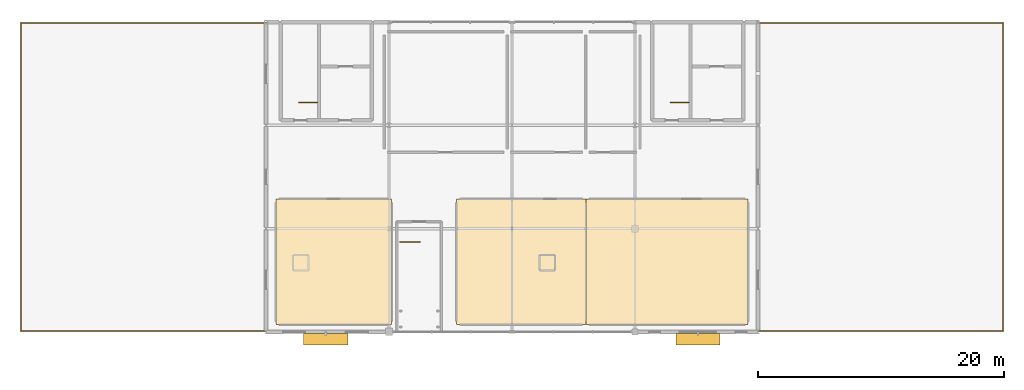
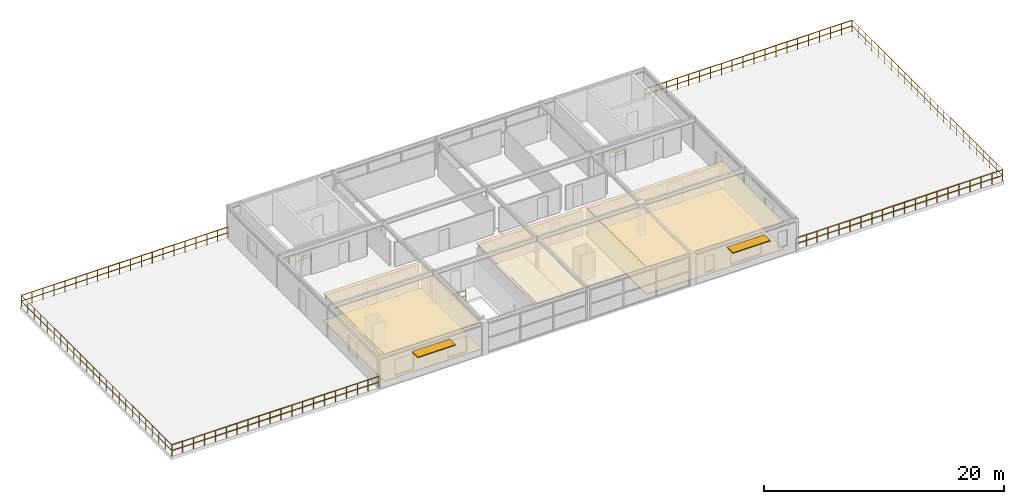
# One storey, part 12 of 12: 9 railings, 5 coverings, 2 shading devices.
"""IFC4 building model written with IfcOpenShell, lengths in metres."""

from ifc_helpers import new_model, si_unit, derived_unit, direction, frame, origin, origin_2d_with_axis, place, context, subcontext, project, spatial, polyline, rectangle, circle, outline, extrude, material, layer, layer_set, type_object, element, save


model = new_model("IFC4")

# Units and contexts
model_context = context("Model", 3, precision=1e-05, world=origin(), true_north=direction((0.0, 1.0)))
body_context = subcontext(model_context, "Body", "Model", "MODEL_VIEW")
ifc_project = project(units=[si_unit("LENGTHUNIT", "METRE"), si_unit("AREAUNIT", "SQUARE_METRE"), si_unit("VOLUMEUNIT", "CUBIC_METRE"), si_unit("PLANEANGLEUNIT", "RADIAN"), si_unit("MASSUNIT", "GRAM", prefix="KILO"), derived_unit("THERMALTRANSMITTANCEUNIT", [(si_unit("POWERUNIT", "WATT"), 1), (si_unit("LENGTHUNIT", "METRE"), -2), (si_unit("THERMODYNAMICTEMPERATUREUNIT", "KELVIN"), -1)])], contexts=[model_context])

# Site, building, storey
site_placement = place(None, origin())
site = spatial("IfcSite", under=ifc_project, at=site_placement, CompositionType="ELEMENT")
building_placement = place(site_placement, origin())
building = spatial("IfcBuilding", under=site, at=building_placement, Name="Cinnabar Yard Market Hall", CompositionType="ELEMENT")
storey_placement = place(building_placement, frame((0.0, 0.0, 15.300048828125)))
storey = spatial("IfcBuildingStorey", under=building, at=storey_placement, Name="L04", CompositionType="ELEMENT", Elevation=15.300048828125)

# Coverings
ifc_material_1 = material(Name="Perforated acoustic spotted-gum timber slats", Category="wood")
ifc_layer_1 = layer(ifc_material_1, 0.0400390625)
ifc_layer_set_1 = layer_set([ifc_layer_1], Name="Perforated acoustic spotted-gum timber slats")
covering_type_1 = type_object("IfcCoveringType", Name="COV-CLG1", PredefinedType="CEILING", material=ifc_layer_set_1)
covering_1_placement = place(storey_placement, frame((0.0, 0.0, 2.72998046875)))
element("IfcCovering", 1, at=covering_1_placement, inside=storey, type_object=covering_type_1, Name="Ceiling Market Management and Operations Office", PredefinedType="CEILING", context=body_context, shape_type="SweptSolid", body=[
    extrude(outline(polyline([(96.800048828125, 113.39990234375), (106.199951171875, 113.39990234375), (106.199951171875, 123.60009765625), (96.800048828125, 123.60009765625), (96.800048828125, 113.39990234375)])), origin(), (0.0, 0.0, 1.0), 0.034912109375),
])
covering_2_placement = place(storey_placement, frame((0.0, 0.0, 2.72998046875)))
element("IfcCovering", 2, at=covering_2_placement, inside=storey, type_object=covering_type_1, Name="Ceiling Stallholder Services and Finance Office", PredefinedType="CEILING", context=body_context, shape_type="SweptSolid", body=[
    extrude(outline(polyline([(111.5, 113.39990234375), (122.0, 113.39990234375), (122.0, 123.60009765625), (111.5, 123.60009765625), (111.5, 113.39990234375)])), origin(), (0.0, 0.0, 1.0), 0.034912109375),
])
covering_3_placement = place(storey_placement, frame((0.0, 0.0, 2.72998046875)))
element("IfcCovering", 3, at=covering_3_placement, inside=storey, type_object=covering_type_1, Name="Ceiling Traders Cooperative Assembly Hall", PredefinedType="CEILING", context=body_context, shape_type="SweptSolid", body=[
    extrude(outline(polyline([(122.0, 113.39990234375), (135.199951171875, 113.39990234375), (135.199951171875, 123.60009765625), (122.0, 123.60009765625), (122.0, 113.39990234375)])), origin(), (0.0, 0.0, 1.0), 0.034912109375),
])
ifc_material_2 = material(Name="Honed Adelaide red terrazzo flooring")
ifc_layer_2 = layer(ifc_material_2, 0.030029296875)
ifc_layer_set_2 = layer_set([ifc_layer_2], Name="Honed Adelaide red terrazzo flooring")
covering_type_2 = type_object("IfcCoveringType", Name="COV-FLR1", PredefinedType="FLOORING", material=ifc_layer_set_2)
covering_4_placement = place(storey_placement, origin())
element("IfcCovering", 4, at=covering_4_placement, inside=storey, type_object=covering_type_2, Name="Flooring Market Management and Operations Office", PredefinedType="FLOORING", context=body_context, shape_type="SweptSolid", body=[
    extrude(outline(polyline([(96.800048828125, 113.39990234375), (106.199951171875, 113.39990234375), (106.199951171875, 123.60009765625), (96.800048828125, 123.60009765625), (96.800048828125, 113.39990234375)])), origin(), (0.0, 0.0, 1.0), 0.02490234375),
])
covering_5_placement = place(storey_placement, origin())
element("IfcCovering", 5, at=covering_5_placement, inside=storey, type_object=covering_type_2, Name="Flooring Traders Cooperative Assembly Hall", PredefinedType="FLOORING", context=body_context, shape_type="SweptSolid", body=[
    extrude(outline(polyline([(122.0, 113.39990234375), (135.199951171875, 113.39990234375), (135.199951171875, 123.60009765625), (122.0, 123.60009765625), (122.0, 113.39990234375)])), origin(), (0.0, 0.0, 1.0), 0.02490234375),
])

# Railings
ifc_material_3 = material(Name="Laminated glass and bronze handrail", Category="glass")
ifc_layer_3 = layer(ifc_material_3, 0.070068359375)
ifc_layer_set_3 = layer_set([ifc_layer_3], Name="Laminated glass and bronze handrail")
railing_type_1 = type_object("IfcRailingType", Name="RL-G01", PredefinedType="BALUSTRADE", material=ifc_layer_set_3)
railing_1_placement = place(storey_placement, frame((106.89990234375, 120.10009765625, 0.0)))
element("IfcRailing", 6, at=railing_1_placement, inside=storey, type_object=railing_type_1, Name="L04 ST-F4 top well guard 1", PredefinedType="BALUSTRADE", context=body_context, shape_type="SweptSolid", body=[
    extrude(circle(Radius=0.02392578125, at=origin_2d_with_axis()), frame((0.0, 0.0, 1.09619140625), z_axis=(1.0, 0.0, 0.0), x_axis=(0.0, 1.0, 0.0)), (0.0, 0.0, 1.0), 1.610107421875),
    extrude(circle(Radius=0.02392578125, at=origin_2d_with_axis()), frame((0.0, 0.0, 0.550048828125), z_axis=(1.0, 0.0, 0.0), x_axis=(0.0, 1.0, 0.0)), (0.0, 0.0, 1.0), 1.610107421875),
    extrude(circle(Radius=0.02099609375, at=origin_2d_with_axis()), origin(), (0.0, 0.0, 1.0), 1.072021484375),
    extrude(circle(Radius=0.02099609375, at=origin_2d_with_axis()), frame((0.80517578125, 0.0, 0.0)), (0.0, 0.0, 1.0), 1.072021484375),
    extrude(circle(Radius=0.02099609375, at=origin_2d_with_axis()), frame((1.610107421875, 0.0, 0.0)), (0.0, 0.0, 1.0), 1.072021484375),
])
ifc_material_4 = material(Name="Perforated bronze steel balustrade", Category="steel")
ifc_layer_4 = layer(ifc_material_4, 0.080078125)
ifc_layer_set_4 = layer_set([ifc_layer_4], Name="Perforated bronze steel balustrade")
railing_type_2 = type_object("IfcRailingType", Name="RL-G02", PredefinedType="BALUSTRADE", material=ifc_layer_set_4)
railing_2_placement = place(storey_placement, frame((96.0, 112.8798828125, 0.0)))
element("IfcRailing", 7, at=railing_2_placement, inside=storey, type_object=railing_type_2, Name="West Citrus Roof Garden Balustrade 1", PredefinedType="BALUSTRADE", context=body_context, shape_type="SweptSolid", body=[
    extrude(circle(Radius=0.02392578125, at=origin_2d_with_axis()), frame((0.0, 0.0, 1.1259765625), z_axis=(-1.0, 0.0, 0.0), x_axis=(0.0, -1.0, 0.0)), (0.0, 0.0, 1.0), 19.919921875),
    extrude(circle(Radius=0.02392578125, at=origin_2d_with_axis()), frame((0.0, 0.0, 0.550048828125), z_axis=(-1.0, 0.0, 0.0), x_axis=(0.0, -1.0, 0.0)), (0.0, 0.0, 1.0), 19.919921875),
    extrude(circle(Radius=0.02099609375, at=origin_2d_with_axis()), origin(), (0.0, 0.0, 1.0), 1.101806640625),
    extrude(circle(Radius=0.02099609375, at=origin_2d_with_axis()), frame((-1.04833984375, 0.0, 0.0)), (0.0, 0.0, 1.0), 1.101806640625),
    extrude(circle(Radius=0.02099609375, at=origin_2d_with_axis()), frame((-2.096923828125, 0.0, 0.0)), (0.0, 0.0, 1.0), 1.101806640625),
    extrude(circle(Radius=0.02099609375, at=origin_2d_with_axis()), frame((-3.145263671875, 0.0, 0.0)), (0.0, 0.0, 1.0), 1.101806640625),
    extrude(circle(Radius=0.02099609375, at=origin_2d_with_axis()), frame((-4.193603515625, 0.0, 0.0)), (0.0, 0.0, 1.0), 1.101806640625),
    extrude(circle(Radius=0.02099609375, at=origin_2d_with_axis()), frame((-5.2421875, 0.0, 0.0)), (0.0, 0.0, 1.0), 1.101806640625),
    extrude(circle(Radius=0.02099609375, at=origin_2d_with_axis()), frame((-6.29052734375, 0.0, 0.0)), (0.0, 0.0, 1.0), 1.101806640625),
    extrude(circle(Radius=0.02099609375, at=origin_2d_with_axis()), frame((-7.3388671875, 0.0, 0.0)), (0.0, 0.0, 1.0), 1.101806640625),
    extrude(circle(Radius=0.02099609375, at=origin_2d_with_axis()), frame((-8.387451171875, 0.0, 0.0)), (0.0, 0.0, 1.0), 1.101806640625),
    extrude(circle(Radius=0.02099609375, at=origin_2d_with_axis()), frame((-9.435791015625, 0.0, 0.0)), (0.0, 0.0, 1.0), 1.101806640625),
    extrude(circle(Radius=0.02099609375, at=origin_2d_with_axis()), frame((-10.484130859375, 0.0, 0.0)), (0.0, 0.0, 1.0), 1.101806640625),
    extrude(circle(Radius=0.02099609375, at=origin_2d_with_axis()), frame((-11.532470703125, 0.0, 0.0)), (0.0, 0.0, 1.0), 1.101806640625),
    extrude(circle(Radius=0.02099609375, at=origin_2d_with_axis()), frame((-12.5810546875, 0.0, 0.0)), (0.0, 0.0, 1.0), 1.101806640625),
    extrude(circle(Radius=0.02099609375, at=origin_2d_with_axis()), frame((-13.62939453125, 0.0, 0.0)), (0.0, 0.0, 1.0), 1.101806640625),
    extrude(circle(Radius=0.02099609375, at=origin_2d_with_axis()), frame((-14.677734375, 0.0, 0.0)), (0.0, 0.0, 1.0), 1.101806640625),
    extrude(circle(Radius=0.02099609375, at=origin_2d_with_axis()), frame((-15.726318359375, 0.0, 0.0)), (0.0, 0.0, 1.0), 1.101806640625),
    extrude(circle(Radius=0.02099609375, at=origin_2d_with_axis()), frame((-16.774658203125, 0.0, 0.0)), (0.0, 0.0, 1.0), 1.101806640625),
    extrude(circle(Radius=0.02099609375, at=origin_2d_with_axis()), frame((-17.822998046875, 0.0, 0.0)), (0.0, 0.0, 1.0), 1.101806640625),
    extrude(circle(Radius=0.02099609375, at=origin_2d_with_axis()), frame((-18.87158203125, 0.0, 0.0)), (0.0, 0.0, 1.0), 1.101806640625),
    extrude(circle(Radius=0.02099609375, at=origin_2d_with_axis()), frame((-19.919921875, 0.0, 0.0)), (0.0, 0.0, 1.0), 1.101806640625),
])
railing_3_placement = place(storey_placement, frame((76.080078125, 112.8798828125, 0.0)))
element("IfcRailing", 8, at=railing_3_placement, inside=storey, type_object=railing_type_2, Name="West Citrus Roof Garden Balustrade 2", PredefinedType="BALUSTRADE", context=body_context, shape_type="SweptSolid", body=[
    extrude(circle(Radius=0.02392578125, at=origin_2d_with_axis()), frame((0.0, 0.0, 1.1259765625), z_axis=(0.0, 1.0, 0.0), x_axis=(-1.0, 0.0, 0.0)), (0.0, 0.0, 1.0), 25.0400390625),
    extrude(circle(Radius=0.02392578125, at=origin_2d_with_axis()), frame((0.0, 0.0, 0.550048828125), z_axis=(0.0, 1.0, 0.0), x_axis=(-1.0, 0.0, 0.0)), (0.0, 0.0, 1.0), 25.0400390625),
    extrude(circle(Radius=0.02099609375, at=origin_2d_with_axis()), origin(), (0.0, 0.0, 1.0), 1.101806640625),
    extrude(circle(Radius=0.02099609375, at=origin_2d_with_axis()), frame((0.0, 1.088623046875, 0.0)), (0.0, 0.0, 1.0), 1.101806640625),
    extrude(circle(Radius=0.02099609375, at=origin_2d_with_axis()), frame((0.0, 2.177490234375, 0.0)), (0.0, 0.0, 1.0), 1.101806640625),
    extrude(circle(Radius=0.02099609375, at=origin_2d_with_axis()), frame((0.0, 3.26611328125, 0.0)), (0.0, 0.0, 1.0), 1.101806640625),
    extrude(circle(Radius=0.02099609375, at=origin_2d_with_axis()), frame((0.0, 4.354736328125, 0.0)), (0.0, 0.0, 1.0), 1.101806640625),
    extrude(circle(Radius=0.02099609375, at=origin_2d_with_axis()), frame((0.0, 5.443603515625, 0.0)), (0.0, 0.0, 1.0), 1.101806640625),
    extrude(circle(Radius=0.02099609375, at=origin_2d_with_axis()), frame((0.0, 6.5322265625, 0.0)), (0.0, 0.0, 1.0), 1.101806640625),
    extrude(circle(Radius=0.02099609375, at=origin_2d_with_axis()), frame((0.0, 7.620849609375, 0.0)), (0.0, 0.0, 1.0), 1.101806640625),
    extrude(circle(Radius=0.02099609375, at=origin_2d_with_axis()), frame((0.0, 8.70947265625, 0.0)), (0.0, 0.0, 1.0), 1.101806640625),
    extrude(circle(Radius=0.02099609375, at=origin_2d_with_axis()), frame((0.0, 9.79833984375, 0.0)), (0.0, 0.0, 1.0), 1.101806640625),
    extrude(circle(Radius=0.02099609375, at=origin_2d_with_axis()), frame((0.0, 10.886962890625, 0.0)), (0.0, 0.0, 1.0), 1.101806640625),
    extrude(circle(Radius=0.02099609375, at=origin_2d_with_axis()), frame((0.0, 11.9755859375, 0.0)), (0.0, 0.0, 1.0), 1.101806640625),
    extrude(circle(Radius=0.02099609375, at=origin_2d_with_axis()), frame((0.0, 13.064453125, 0.0)), (0.0, 0.0, 1.0), 1.101806640625),
    extrude(circle(Radius=0.02099609375, at=origin_2d_with_axis()), frame((0.0, 14.153076171875, 0.0)), (0.0, 0.0, 1.0), 1.101806640625),
    extrude(circle(Radius=0.02099609375, at=origin_2d_with_axis()), frame((0.0, 15.24169921875, 0.0)), (0.0, 0.0, 1.0), 1.101806640625),
    extrude(circle(Radius=0.02099609375, at=origin_2d_with_axis()), frame((0.0, 16.33056640625, 0.0)), (0.0, 0.0, 1.0), 1.101806640625),
    extrude(circle(Radius=0.02099609375, at=origin_2d_with_axis()), frame((0.0, 17.419189453125, 0.0)), (0.0, 0.0, 1.0), 1.101806640625),
    extrude(circle(Radius=0.02099609375, at=origin_2d_with_axis()), frame((0.0, 18.5078125, 0.0)), (0.0, 0.0, 1.0), 1.101806640625),
    extrude(circle(Radius=0.02099609375, at=origin_2d_with_axis()), frame((0.0, 19.596435546875, 0.0)), (0.0, 0.0, 1.0), 1.101806640625),
    extrude(circle(Radius=0.02099609375, at=origin_2d_with_axis()), frame((0.0, 20.685302734375, 0.0)), (0.0, 0.0, 1.0), 1.101806640625),
    extrude(circle(Radius=0.02099609375, at=origin_2d_with_axis()), frame((0.0, 21.77392578125, 0.0)), (0.0, 0.0, 1.0), 1.101806640625),
    extrude(circle(Radius=0.02099609375, at=origin_2d_with_axis()), frame((0.0, 22.862548828125, 0.0)), (0.0, 0.0, 1.0), 1.101806640625),
    extrude(circle(Radius=0.02099609375, at=origin_2d_with_axis()), frame((0.0, 23.951416015625, 0.0)), (0.0, 0.0, 1.0), 1.101806640625),
    extrude(circle(Radius=0.02099609375, at=origin_2d_with_axis()), frame((0.0, 25.0400390625, 0.0)), (0.0, 0.0, 1.0), 1.101806640625),
])
railing_4_placement = place(storey_placement, frame((76.080078125, 137.919921875, 0.0)))
element("IfcRailing", 9, at=railing_4_placement, inside=storey, type_object=railing_type_2, Name="West Citrus Roof Garden Balustrade 3", PredefinedType="BALUSTRADE", context=body_context, shape_type="SweptSolid", body=[
    extrude(circle(Radius=0.02392578125, at=origin_2d_with_axis()), frame((0.0, 0.0, 1.1259765625), z_axis=(1.0, 0.0, 0.0), x_axis=(0.0, 1.0, 0.0)), (0.0, 0.0, 1.0), 19.919921875),
    extrude(circle(Radius=0.02392578125, at=origin_2d_with_axis()), frame((0.0, 0.0, 0.550048828125), z_axis=(1.0, 0.0, 0.0), x_axis=(0.0, 1.0, 0.0)), (0.0, 0.0, 1.0), 19.919921875),
    extrude(circle(Radius=0.02099609375, at=origin_2d_with_axis()), origin(), (0.0, 0.0, 1.0), 1.101806640625),
    extrude(circle(Radius=0.02099609375, at=origin_2d_with_axis()), frame((1.04833984375, 0.0, 0.0)), (0.0, 0.0, 1.0), 1.101806640625),
    extrude(circle(Radius=0.02099609375, at=origin_2d_with_axis()), frame((2.096923828125, 0.0, 0.0)), (0.0, 0.0, 1.0), 1.101806640625),
    extrude(circle(Radius=0.02099609375, at=origin_2d_with_axis()), frame((3.145263671875, 0.0, 0.0)), (0.0, 0.0, 1.0), 1.101806640625),
    extrude(circle(Radius=0.02099609375, at=origin_2d_with_axis()), frame((4.193603515625, 0.0, 0.0)), (0.0, 0.0, 1.0), 1.101806640625),
    extrude(circle(Radius=0.02099609375, at=origin_2d_with_axis()), frame((5.2421875, 0.0, 0.0)), (0.0, 0.0, 1.0), 1.101806640625),
    extrude(circle(Radius=0.02099609375, at=origin_2d_with_axis()), frame((6.29052734375, 0.0, 0.0)), (0.0, 0.0, 1.0), 1.101806640625),
    extrude(circle(Radius=0.02099609375, at=origin_2d_with_axis()), frame((7.3388671875, 0.0, 0.0)), (0.0, 0.0, 1.0), 1.101806640625),
    extrude(circle(Radius=0.02099609375, at=origin_2d_with_axis()), frame((8.387451171875, 0.0, 0.0)), (0.0, 0.0, 1.0), 1.101806640625),
    extrude(circle(Radius=0.02099609375, at=origin_2d_with_axis()), frame((9.435791015625, 0.0, 0.0)), (0.0, 0.0, 1.0), 1.101806640625),
    extrude(circle(Radius=0.02099609375, at=origin_2d_with_axis()), frame((10.484130859375, 0.0, 0.0)), (0.0, 0.0, 1.0), 1.101806640625),
    extrude(circle(Radius=0.02099609375, at=origin_2d_with_axis()), frame((11.532470703125, 0.0, 0.0)), (0.0, 0.0, 1.0), 1.101806640625),
    extrude(circle(Radius=0.02099609375, at=origin_2d_with_axis()), frame((12.5810546875, 0.0, 0.0)), (0.0, 0.0, 1.0), 1.101806640625),
    extrude(circle(Radius=0.02099609375, at=origin_2d_with_axis()), frame((13.62939453125, 0.0, 0.0)), (0.0, 0.0, 1.0), 1.101806640625),
    extrude(circle(Radius=0.02099609375, at=origin_2d_with_axis()), frame((14.677734375, 0.0, 0.0)), (0.0, 0.0, 1.0), 1.101806640625),
    extrude(circle(Radius=0.02099609375, at=origin_2d_with_axis()), frame((15.726318359375, 0.0, 0.0)), (0.0, 0.0, 1.0), 1.101806640625),
    extrude(circle(Radius=0.02099609375, at=origin_2d_with_axis()), frame((16.774658203125, 0.0, 0.0)), (0.0, 0.0, 1.0), 1.101806640625),
    extrude(circle(Radius=0.02099609375, at=origin_2d_with_axis()), frame((17.822998046875, 0.0, 0.0)), (0.0, 0.0, 1.0), 1.101806640625),
    extrude(circle(Radius=0.02099609375, at=origin_2d_with_axis()), frame((18.87158203125, 0.0, 0.0)), (0.0, 0.0, 1.0), 1.101806640625),
    extrude(circle(Radius=0.02099609375, at=origin_2d_with_axis()), frame((19.919921875, 0.0, 0.0)), (0.0, 0.0, 1.0), 1.101806640625),
])
railing_5_placement = place(storey_placement, frame((136.0, 112.8798828125, 0.0)))
element("IfcRailing", 10, at=railing_5_placement, inside=storey, type_object=railing_type_2, Name="East Saffron Roof Garden Balustrade 1", PredefinedType="BALUSTRADE", context=body_context, shape_type="SweptSolid", body=[
    extrude(circle(Radius=0.02392578125, at=origin_2d_with_axis()), frame((0.0, 0.0, 1.1259765625), z_axis=(1.0, 0.0, 0.0), x_axis=(0.0, 1.0, 0.0)), (0.0, 0.0, 1.0), 19.919921875),
    extrude(circle(Radius=0.02392578125, at=origin_2d_with_axis()), frame((0.0, 0.0, 0.550048828125), z_axis=(1.0, 0.0, 0.0), x_axis=(0.0, 1.0, 0.0)), (0.0, 0.0, 1.0), 19.919921875),
    extrude(circle(Radius=0.02099609375, at=origin_2d_with_axis()), origin(), (0.0, 0.0, 1.0), 1.101806640625),
    extrude(circle(Radius=0.02099609375, at=origin_2d_with_axis()), frame((1.04833984375, 0.0, 0.0)), (0.0, 0.0, 1.0), 1.101806640625),
    extrude(circle(Radius=0.02099609375, at=origin_2d_with_axis()), frame((2.096923828125, 0.0, 0.0)), (0.0, 0.0, 1.0), 1.101806640625),
    extrude(circle(Radius=0.02099609375, at=origin_2d_with_axis()), frame((3.145263671875, 0.0, 0.0)), (0.0, 0.0, 1.0), 1.101806640625),
    extrude(circle(Radius=0.02099609375, at=origin_2d_with_axis()), frame((4.193603515625, 0.0, 0.0)), (0.0, 0.0, 1.0), 1.101806640625),
    extrude(circle(Radius=0.02099609375, at=origin_2d_with_axis()), frame((5.2421875, 0.0, 0.0)), (0.0, 0.0, 1.0), 1.101806640625),
    extrude(circle(Radius=0.02099609375, at=origin_2d_with_axis()), frame((6.29052734375, 0.0, 0.0)), (0.0, 0.0, 1.0), 1.101806640625),
    extrude(circle(Radius=0.02099609375, at=origin_2d_with_axis()), frame((7.3388671875, 0.0, 0.0)), (0.0, 0.0, 1.0), 1.101806640625),
    extrude(circle(Radius=0.02099609375, at=origin_2d_with_axis()), frame((8.387451171875, 0.0, 0.0)), (0.0, 0.0, 1.0), 1.101806640625),
    extrude(circle(Radius=0.02099609375, at=origin_2d_with_axis()), frame((9.435791015625, 0.0, 0.0)), (0.0, 0.0, 1.0), 1.101806640625),
    extrude(circle(Radius=0.02099609375, at=origin_2d_with_axis()), frame((10.484130859375, 0.0, 0.0)), (0.0, 0.0, 1.0), 1.101806640625),
    extrude(circle(Radius=0.02099609375, at=origin_2d_with_axis()), frame((11.532470703125, 0.0, 0.0)), (0.0, 0.0, 1.0), 1.101806640625),
    extrude(circle(Radius=0.02099609375, at=origin_2d_with_axis()), frame((12.5810546875, 0.0, 0.0)), (0.0, 0.0, 1.0), 1.101806640625),
    extrude(circle(Radius=0.02099609375, at=origin_2d_with_axis()), frame((13.62939453125, 0.0, 0.0)), (0.0, 0.0, 1.0), 1.101806640625),
    extrude(circle(Radius=0.02099609375, at=origin_2d_with_axis()), frame((14.677734375, 0.0, 0.0)), (0.0, 0.0, 1.0), 1.101806640625),
    extrude(circle(Radius=0.02099609375, at=origin_2d_with_axis()), frame((15.726318359375, 0.0, 0.0)), (0.0, 0.0, 1.0), 1.101806640625),
    extrude(circle(Radius=0.02099609375, at=origin_2d_with_axis()), frame((16.774658203125, 0.0, 0.0)), (0.0, 0.0, 1.0), 1.101806640625),
    extrude(circle(Radius=0.02099609375, at=origin_2d_with_axis()), frame((17.822998046875, 0.0, 0.0)), (0.0, 0.0, 1.0), 1.101806640625),
    extrude(circle(Radius=0.02099609375, at=origin_2d_with_axis()), frame((18.87158203125, 0.0, 0.0)), (0.0, 0.0, 1.0), 1.101806640625),
    extrude(circle(Radius=0.02099609375, at=origin_2d_with_axis()), frame((19.919921875, 0.0, 0.0)), (0.0, 0.0, 1.0), 1.101806640625),
])
railing_6_placement = place(storey_placement, frame((155.919921875, 112.8798828125, 0.0)))
element("IfcRailing", 11, at=railing_6_placement, inside=storey, type_object=railing_type_2, Name="East Saffron Roof Garden Balustrade 2", PredefinedType="BALUSTRADE", context=body_context, shape_type="SweptSolid", body=[
    extrude(circle(Radius=0.02392578125, at=origin_2d_with_axis()), frame((0.0, 0.0, 1.1259765625), z_axis=(0.0, 1.0, 0.0), x_axis=(-1.0, 0.0, 0.0)), (0.0, 0.0, 1.0), 25.0400390625),
    extrude(circle(Radius=0.02392578125, at=origin_2d_with_axis()), frame((0.0, 0.0, 0.550048828125), z_axis=(0.0, 1.0, 0.0), x_axis=(-1.0, 0.0, 0.0)), (0.0, 0.0, 1.0), 25.0400390625),
    extrude(circle(Radius=0.02099609375, at=origin_2d_with_axis()), origin(), (0.0, 0.0, 1.0), 1.101806640625),
    extrude(circle(Radius=0.02099609375, at=origin_2d_with_axis()), frame((0.0, 1.088623046875, 0.0)), (0.0, 0.0, 1.0), 1.101806640625),
    extrude(circle(Radius=0.02099609375, at=origin_2d_with_axis()), frame((0.0, 2.177490234375, 0.0)), (0.0, 0.0, 1.0), 1.101806640625),
    extrude(circle(Radius=0.02099609375, at=origin_2d_with_axis()), frame((0.0, 3.26611328125, 0.0)), (0.0, 0.0, 1.0), 1.101806640625),
    extrude(circle(Radius=0.02099609375, at=origin_2d_with_axis()), frame((0.0, 4.354736328125, 0.0)), (0.0, 0.0, 1.0), 1.101806640625),
    extrude(circle(Radius=0.02099609375, at=origin_2d_with_axis()), frame((0.0, 5.443603515625, 0.0)), (0.0, 0.0, 1.0), 1.101806640625),
    extrude(circle(Radius=0.02099609375, at=origin_2d_with_axis()), frame((0.0, 6.5322265625, 0.0)), (0.0, 0.0, 1.0), 1.101806640625),
    extrude(circle(Radius=0.02099609375, at=origin_2d_with_axis()), frame((0.0, 7.620849609375, 0.0)), (0.0, 0.0, 1.0), 1.101806640625),
    extrude(circle(Radius=0.02099609375, at=origin_2d_with_axis()), frame((0.0, 8.70947265625, 0.0)), (0.0, 0.0, 1.0), 1.101806640625),
    extrude(circle(Radius=0.02099609375, at=origin_2d_with_axis()), frame((0.0, 9.79833984375, 0.0)), (0.0, 0.0, 1.0), 1.101806640625),
    extrude(circle(Radius=0.02099609375, at=origin_2d_with_axis()), frame((0.0, 10.886962890625, 0.0)), (0.0, 0.0, 1.0), 1.101806640625),
    extrude(circle(Radius=0.02099609375, at=origin_2d_with_axis()), frame((0.0, 11.9755859375, 0.0)), (0.0, 0.0, 1.0), 1.101806640625),
    extrude(circle(Radius=0.02099609375, at=origin_2d_with_axis()), frame((0.0, 13.064453125, 0.0)), (0.0, 0.0, 1.0), 1.101806640625),
    extrude(circle(Radius=0.02099609375, at=origin_2d_with_axis()), frame((0.0, 14.153076171875, 0.0)), (0.0, 0.0, 1.0), 1.101806640625),
    extrude(circle(Radius=0.02099609375, at=origin_2d_with_axis()), frame((0.0, 15.24169921875, 0.0)), (0.0, 0.0, 1.0), 1.101806640625),
    extrude(circle(Radius=0.02099609375, at=origin_2d_with_axis()), frame((0.0, 16.33056640625, 0.0)), (0.0, 0.0, 1.0), 1.101806640625),
    extrude(circle(Radius=0.02099609375, at=origin_2d_with_axis()), frame((0.0, 17.419189453125, 0.0)), (0.0, 0.0, 1.0), 1.101806640625),
    extrude(circle(Radius=0.02099609375, at=origin_2d_with_axis()), frame((0.0, 18.5078125, 0.0)), (0.0, 0.0, 1.0), 1.101806640625),
    extrude(circle(Radius=0.02099609375, at=origin_2d_with_axis()), frame((0.0, 19.596435546875, 0.0)), (0.0, 0.0, 1.0), 1.101806640625),
    extrude(circle(Radius=0.02099609375, at=origin_2d_with_axis()), frame((0.0, 20.685302734375, 0.0)), (0.0, 0.0, 1.0), 1.101806640625),
    extrude(circle(Radius=0.02099609375, at=origin_2d_with_axis()), frame((0.0, 21.77392578125, 0.0)), (0.0, 0.0, 1.0), 1.101806640625),
    extrude(circle(Radius=0.02099609375, at=origin_2d_with_axis()), frame((0.0, 22.862548828125, 0.0)), (0.0, 0.0, 1.0), 1.101806640625),
    extrude(circle(Radius=0.02099609375, at=origin_2d_with_axis()), frame((0.0, 23.951416015625, 0.0)), (0.0, 0.0, 1.0), 1.101806640625),
    extrude(circle(Radius=0.02099609375, at=origin_2d_with_axis()), frame((0.0, 25.0400390625, 0.0)), (0.0, 0.0, 1.0), 1.101806640625),
])
railing_7_placement = place(storey_placement, frame((155.919921875, 137.919921875, 0.0)))
element("IfcRailing", 12, at=railing_7_placement, inside=storey, type_object=railing_type_2, Name="East Saffron Roof Garden Balustrade 3", PredefinedType="BALUSTRADE", context=body_context, shape_type="SweptSolid", body=[
    extrude(circle(Radius=0.02392578125, at=origin_2d_with_axis()), frame((0.0, 0.0, 1.1259765625), z_axis=(-1.0, 0.0, 0.0), x_axis=(0.0, -1.0, 0.0)), (0.0, 0.0, 1.0), 19.919921875),
    extrude(circle(Radius=0.02392578125, at=origin_2d_with_axis()), frame((0.0, 0.0, 0.550048828125), z_axis=(-1.0, 0.0, 0.0), x_axis=(0.0, -1.0, 0.0)), (0.0, 0.0, 1.0), 19.919921875),
    extrude(circle(Radius=0.02099609375, at=origin_2d_with_axis()), origin(), (0.0, 0.0, 1.0), 1.101806640625),
    extrude(circle(Radius=0.02099609375, at=origin_2d_with_axis()), frame((-1.04833984375, 0.0, 0.0)), (0.0, 0.0, 1.0), 1.101806640625),
    extrude(circle(Radius=0.02099609375, at=origin_2d_with_axis()), frame((-2.096923828125, 0.0, 0.0)), (0.0, 0.0, 1.0), 1.101806640625),
    extrude(circle(Radius=0.02099609375, at=origin_2d_with_axis()), frame((-3.145263671875, 0.0, 0.0)), (0.0, 0.0, 1.0), 1.101806640625),
    extrude(circle(Radius=0.02099609375, at=origin_2d_with_axis()), frame((-4.193603515625, 0.0, 0.0)), (0.0, 0.0, 1.0), 1.101806640625),
    extrude(circle(Radius=0.02099609375, at=origin_2d_with_axis()), frame((-5.2421875, 0.0, 0.0)), (0.0, 0.0, 1.0), 1.101806640625),
    extrude(circle(Radius=0.02099609375, at=origin_2d_with_axis()), frame((-6.29052734375, 0.0, 0.0)), (0.0, 0.0, 1.0), 1.101806640625),
    extrude(circle(Radius=0.02099609375, at=origin_2d_with_axis()), frame((-7.3388671875, 0.0, 0.0)), (0.0, 0.0, 1.0), 1.101806640625),
    extrude(circle(Radius=0.02099609375, at=origin_2d_with_axis()), frame((-8.387451171875, 0.0, 0.0)), (0.0, 0.0, 1.0), 1.101806640625),
    extrude(circle(Radius=0.02099609375, at=origin_2d_with_axis()), frame((-9.435791015625, 0.0, 0.0)), (0.0, 0.0, 1.0), 1.101806640625),
    extrude(circle(Radius=0.02099609375, at=origin_2d_with_axis()), frame((-10.484130859375, 0.0, 0.0)), (0.0, 0.0, 1.0), 1.101806640625),
    extrude(circle(Radius=0.02099609375, at=origin_2d_with_axis()), frame((-11.532470703125, 0.0, 0.0)), (0.0, 0.0, 1.0), 1.101806640625),
    extrude(circle(Radius=0.02099609375, at=origin_2d_with_axis()), frame((-12.5810546875, 0.0, 0.0)), (0.0, 0.0, 1.0), 1.101806640625),
    extrude(circle(Radius=0.02099609375, at=origin_2d_with_axis()), frame((-13.62939453125, 0.0, 0.0)), (0.0, 0.0, 1.0), 1.101806640625),
    extrude(circle(Radius=0.02099609375, at=origin_2d_with_axis()), frame((-14.677734375, 0.0, 0.0)), (0.0, 0.0, 1.0), 1.101806640625),
    extrude(circle(Radius=0.02099609375, at=origin_2d_with_axis()), frame((-15.726318359375, 0.0, 0.0)), (0.0, 0.0, 1.0), 1.101806640625),
    extrude(circle(Radius=0.02099609375, at=origin_2d_with_axis()), frame((-16.774658203125, 0.0, 0.0)), (0.0, 0.0, 1.0), 1.101806640625),
    extrude(circle(Radius=0.02099609375, at=origin_2d_with_axis()), frame((-17.822998046875, 0.0, 0.0)), (0.0, 0.0, 1.0), 1.101806640625),
    extrude(circle(Radius=0.02099609375, at=origin_2d_with_axis()), frame((-18.87158203125, 0.0, 0.0)), (0.0, 0.0, 1.0), 1.101806640625),
    extrude(circle(Radius=0.02099609375, at=origin_2d_with_axis()), frame((-19.919921875, 0.0, 0.0)), (0.0, 0.0, 1.0), 1.101806640625),
])
ifc_material_5 = material(Name="Galvanised steel Grade 300 (300 MPa) guardrail", Category="steel")
ifc_layer_5 = layer(ifc_material_5, 0.06005859375)
ifc_layer_set_5 = layer_set([ifc_layer_5], Name="Galvanised steel Grade 300 (300 MPa) guardrail")
railing_type_3 = type_object("IfcRailingType", Name="RL-G03", PredefinedType="GUARDRAIL", material=ifc_layer_set_5)
for number, where, name in (
    (13, (100.199951171875, 131.43994140625, 0.0), "L04 ST-C5 top well guard 1"),
    (14, (130.39990234375, 131.43994140625, 0.0), "L04 ST-C6 top well guard 1"),
):
    element("IfcRailing", number, at=place(storey_placement, frame(where)), inside=storey, type_object=railing_type_3, Name=name, PredefinedType="GUARDRAIL", context=body_context, shape_type="SweptSolid", body=[
        extrude(circle(Radius=0.02392578125, at=origin_2d_with_axis()), frame((0.0, 0.0, 1.09619140625), z_axis=(-1.0, 0.0, 0.0), x_axis=(0.0, -1.0, 0.0)), (0.0, 0.0, 1.0), 1.510009765625),
        extrude(circle(Radius=0.02392578125, at=origin_2d_with_axis()), frame((0.0, 0.0, 0.550048828125), z_axis=(-1.0, 0.0, 0.0), x_axis=(0.0, -1.0, 0.0)), (0.0, 0.0, 1.0), 1.510009765625),
        extrude(circle(Radius=0.02099609375, at=origin_2d_with_axis()), origin(), (0.0, 0.0, 1.0), 1.072021484375),
        extrude(circle(Radius=0.02099609375, at=origin_2d_with_axis()), frame((-0.7548828125, 0.0, 0.0)), (0.0, 0.0, 1.0), 1.072021484375),
        extrude(circle(Radius=0.02099609375, at=origin_2d_with_axis()), frame((-1.510009765625, 0.0, 0.0)), (0.0, 0.0, 1.0), 1.072021484375),
    ])

# Shading devices
ifc_material_6 = material(Name="Projecting sandstone-clad steel chhajja hood", Category="masonry")
shading_device_type = type_object("IfcShadingDeviceType", Name="SHD-CHJ1", PredefinedType="SHUTTER", material=ifc_material_6)
for number, where, z_axis, x_axis, name in (
    (15, (100.85302734375, 112.199951171875, 2.61474609375), (0.0, 0.0, 1.0), (1.0, 0.0, 0.0), "Wing South Chhajja Hood L04 Bay 1"),
    (16, (131.1220703125, 112.199951171875, 2.61474609375), (0.0, 0.0, 1.0), (1.0, 0.0, 0.0), "Wing South Chhajja Hood L04 Bay 4"),
):
    element("IfcShadingDevice", number, at=place(storey_placement, frame(where, z_axis=z_axis, x_axis=x_axis)), inside=storey, type_object=shading_device_type, Name=name, PredefinedType="SHUTTER", context=body_context, shape_type="SweptSolid", body=[
        extrude(rectangle(XDim=3.60009765625, YDim=0.949951171875, at=origin_2d_with_axis()), origin(), (0.0, 0.0, 1.0), 0.090087890625),
    ])

save(model, "model.ifc")
